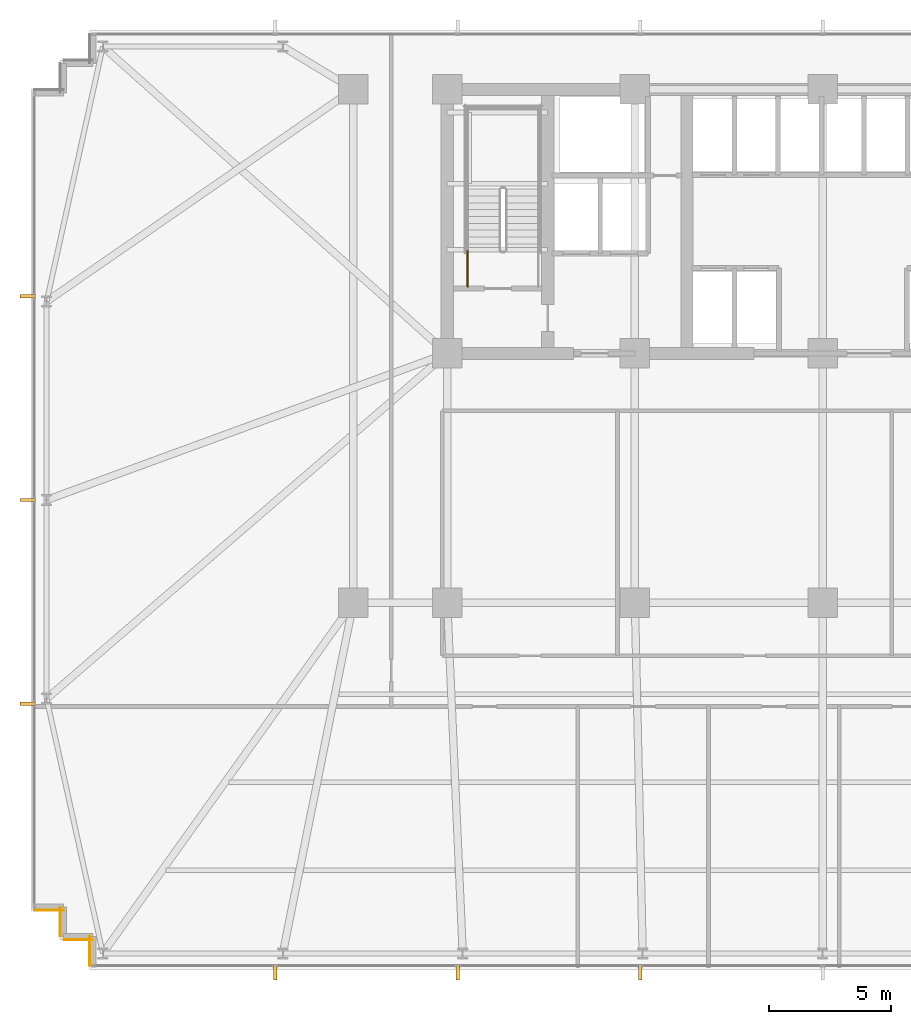
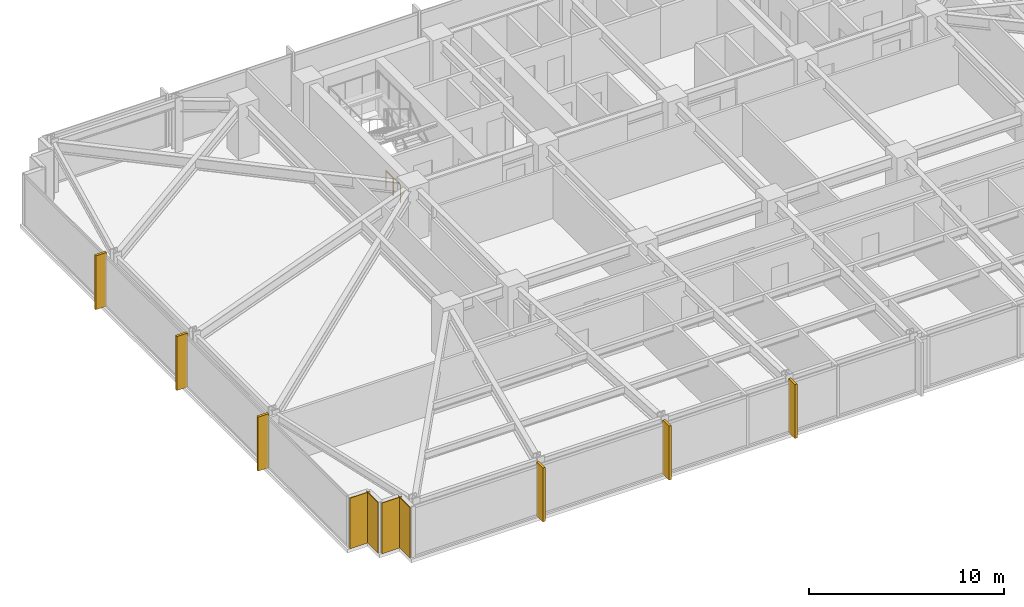
# One storey, part 27 of 32: 6 shading devices, 4 coverings, 1 railing.
"""IFC4 building model written with IfcOpenShell, lengths in metres."""

from ifc_helpers import new_model, si_unit, direction, frame, frame_2d, origin, origin_2d, place, context, subcontext, project, spatial, rectangle, circle, extrude, material, layer, layer_set, type_object, element, save


model = new_model("IFC4")

# Units and contexts
model_context = context("Model", 3, precision=1e-05, world=origin(), true_north=direction((0.0, 1.0)))
body_context = subcontext(model_context, "Body", "Model", "MODEL_VIEW")
ifc_project = project(units=[si_unit("LENGTHUNIT", "METRE"), si_unit("AREAUNIT", "SQUARE_METRE"), si_unit("VOLUMEUNIT", "CUBIC_METRE"), si_unit("PLANEANGLEUNIT", "RADIAN"), si_unit("MASSUNIT", "GRAM", prefix="KILO")], contexts=[model_context])

# Site, building, storey
site_placement = place(None, origin())
site = spatial("IfcSite", under=ifc_project, at=site_placement, CompositionType="ELEMENT")
building_placement = place(site_placement, origin())
building = spatial("IfcBuilding", under=site, at=building_placement, Name="Yelkora Congress Tower", CompositionType="ELEMENT")
storey_placement = place(building_placement, frame((0.0, 0.0, 44.0)))
storey = spatial("IfcBuildingStorey", under=building, at=storey_placement, Name="L10", CompositionType="ELEMENT", Elevation=44.0)

# Coverings
ifc_material_1 = material(Name="Anatolian bush-hammered limestone", Category="masonry")
ifc_layer_1 = layer(ifc_material_1, 0.0400390625)
ifc_layer_set_1 = layer_set([ifc_layer_1], Name="Anatolian bush-hammered limestone")
covering_type = type_object("IfcCoveringType", Name="COV-CLAD-SPANDREL-40", PredefinedType="CLADDING", material=ifc_layer_set_1)
for number, where, z_axis, x_axis, name in (
    (1, (8.405029296875, 10.340087890625, 0.0), (0.0, 0.0, 1.0), (0.0, 1.0, 0.0), "L10 Anatolian Limestone Cladding EW-L10-SR01"),
    (2, (8.5400390625, 11.405029296875, 0.0), (0.0, 0.0, 1.0), (-1.0, 0.0, 0.0), "L10 Anatolian Limestone Cladding EW-L10-SR02"),
    (3, (7.205078125, 11.5400390625, 0.0), (0.0, 0.0, 1.0), (0.0, 1.0, 0.0), "L10 Anatolian Limestone Cladding EW-L10-SR03"),
):
    element("IfcCovering", number, at=place(storey_placement, frame(where, z_axis=z_axis, x_axis=x_axis)), inside=storey, type_object=covering_type, Name=name, PredefinedType="CLADDING", context=body_context, shape_type="SweptSolid", body=[
        extrude(rectangle(XDim=1.199951171875, YDim=0.0400390625, at=frame_2d((0.60009765625, 0.0))), origin(), (0.0, 0.0, 1.0), 3.179931640625),
    ])
covering_placement = place(storey_placement, frame((7.340087890625, 12.60498046875, 0.0), z_axis=(0.0, 0.0, 1.0), x_axis=(-1.0, 0.0, 0.0)))
element("IfcCovering", 4, at=covering_placement, inside=storey, type_object=covering_type, Name="L10 Anatolian Limestone Cladding EW-L10-SR04", PredefinedType="CLADDING", context=body_context, shape_type="SweptSolid", body=[
    extrude(rectangle(XDim=1.2001953125, YDim=0.0400390625, at=frame_2d((0.60009765625, 0.0))), origin(), (0.0, 0.0, 1.0), 3.179931640625),
])

# Railing
ifc_material_2 = material(Name="Painted galvanised steel stair well guard with vertical infill", Category="steel")
ifc_layer_2 = layer(ifc_material_2, 0.06005859375)
ifc_layer_set_2 = layer_set([ifc_layer_2], Name="Painted galvanised steel stair well guard with vertical infill")
railing_type = type_object("IfcRailingType", Name="RAIL-STAIR-GUARD-1120", PredefinedType="GUARDRAIL", material=ifc_layer_set_2)
railing_placement = place(storey_placement, frame((23.8701171875, 38.1201171875, 0.0)))
element("IfcRailing", 5, at=railing_placement, inside=storey, type_object=railing_type, Name="ST-01 L10 Stair Well Guardrail 9", PredefinedType="GUARDRAIL", context=body_context, shape_type="SweptSolid", body=[
    extrude(circle(Radius=0.02392578125, at=origin_2d()), frame((0.0, 0.0, 1.09619140625), z_axis=(0.0, 1.0, 0.0), x_axis=(-1.0, 0.0, 0.0)), (0.0, 0.0, 1.0), 1.47998046875),
    extrude(circle(Radius=0.02099609375, at=origin_2d()), origin(), (0.0, 0.0, 1.0), 1.072021484375),
    extrude(circle(Radius=0.02099609375, at=origin_2d()), frame((0.0, 0.739990234375, 0.0)), (0.0, 0.0, 1.0), 1.072021484375),
    extrude(circle(Radius=0.02099609375, at=origin_2d()), frame((0.0, 1.47998046875, 0.0)), (0.0, 0.0, 1.0), 1.072021484375),
])

# Shading devices
ifc_material_3 = material(Name="Champagne anodised aluminium", Category="aluminium")
ifc_layer_3 = layer(ifc_material_3, 3.39990234375)
ifc_layer_set_3 = layer_set([ifc_layer_3], Name="Champagne anodised aluminium")
shading_device_type = type_object("IfcShadingDeviceType", Name="SHD-FIN-ALU-640", PredefinedType="USERDEFINED", material=ifc_layer_set_3)
for number, where, z_axis, x_axis, name in (
    (6, (5.8798828125, 21.070068359375, -0.030029296875), (0.0, 0.0, 1.0), (0.0, 1.0, 0.0), "L10 Vertical Anodised Solar Fin 5-1"),
    (7, (5.8798828125, 29.39990234375, -0.030029296875), (0.0, 0.0, 1.0), (0.0, 1.0, 0.0), "L10 Vertical Anodised Solar Fin 5-2"),
    (8, (5.8798828125, 37.72998046875, -0.030029296875), (0.0, 0.0, 1.0), (0.0, 1.0, 0.0), "L10 Vertical Anodised Solar Fin 5-3"),
    (9, (30.93505859375, 10.080078125, -0.030029296875), (0.0, 0.0, 1.0), (-1.0, 0.0, 0.0), "L10 Vertical Anodised Solar Fin 20-5"),
    (10, (23.469970703125, 10.080078125, -0.030029296875), (0.0, 0.0, 1.0), (-1.0, 0.0, 0.0), "L10 Vertical Anodised Solar Fin 20-6"),
    (11, (16.0048828125, 10.080078125, -0.030029296875), (0.0, 0.0, 1.0), (-1.0, 0.0, 0.0), "L10 Vertical Anodised Solar Fin 20-7"),
):
    element("IfcShadingDevice", number, at=place(storey_placement, frame(where, z_axis=z_axis, x_axis=x_axis)), inside=storey, type_object=shading_device_type, Name=name, ObjectType="FIN", PredefinedType="USERDEFINED", context=body_context, shape_type="SweptSolid", body=[
        extrude(rectangle(XDim=0.139892578125, YDim=0.639892578125, at=origin_2d()), origin(), (0.0, 0.0, 1.0), 3.3798828125),
    ])

save(model, "model.ifc")
